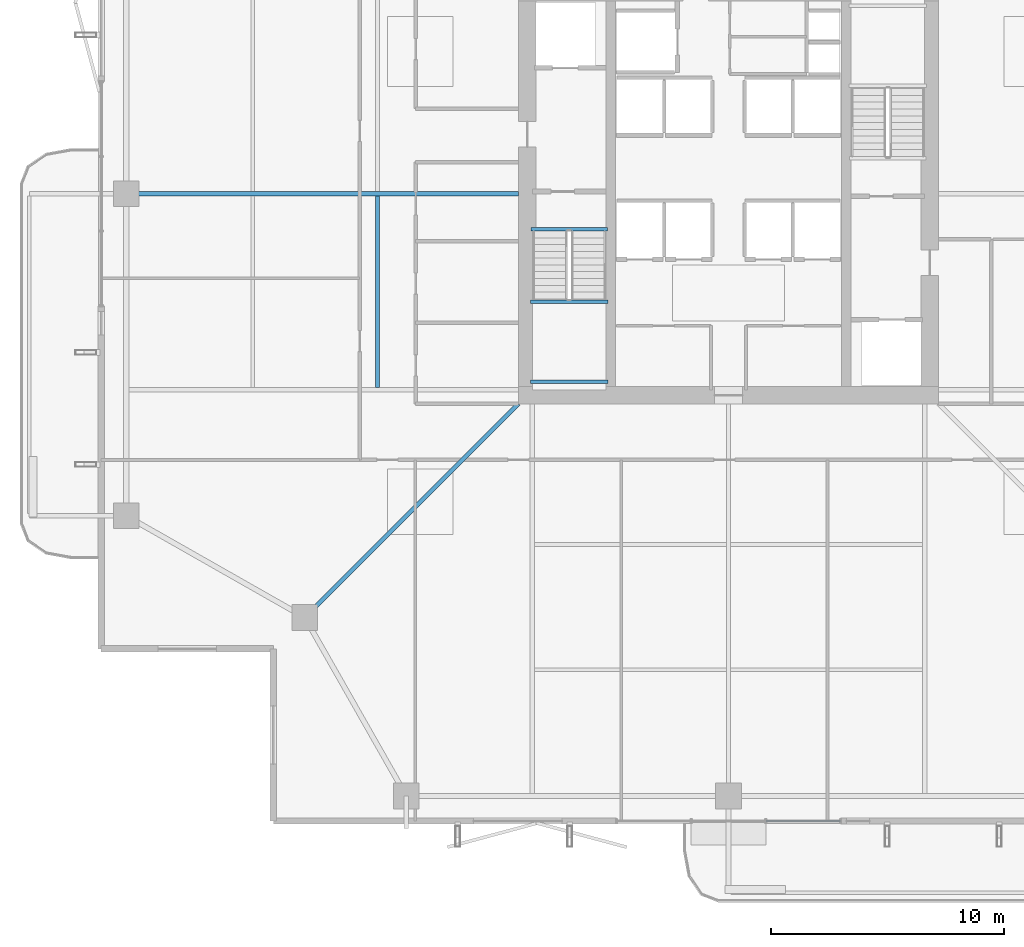
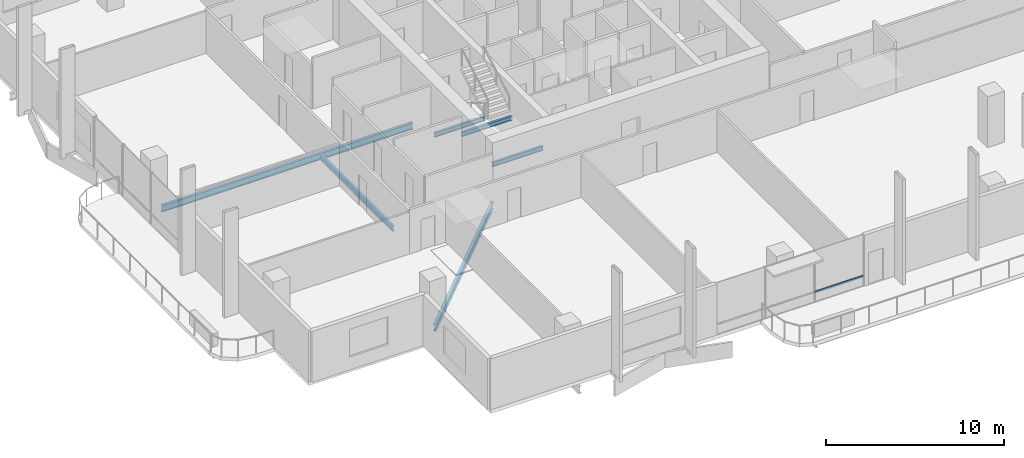
# One storey, part 5 of 24: 6 beams, 1 member, 1 element without a shape of its own.
"""IFC4 building model written with IfcOpenShell, lengths in metres."""

import ifcopenshell
import ifcopenshell.guid

model = None  # the IFC model being written
_history = None  # IfcOwnerHistory: only IFC2X3 demands one
_inside = {}  # id of a spatial element -> (the spatial element, [elements in it])
_under = {}  # id of a project, library or spatial element -> (it, [spatial elements below it])
_declared = {}  # id of a project -> (the project, [libraries it declares])
_typed = {}  # id of a type object -> (the type object, [elements of that type])
_made_of = {}  # id of a material, layer set ... -> (it, [elements and type objects made of it])


def new_model(schema):
    """Start an empty IFC model of exactly this schema.

    Asked for "IFC4X3", IfcOpenShell would pick the latest addendum, in which some entities
    have other attributes; the version numbers below select the first issue.
    IFC2X3 requires an IfcOwnerHistory on every rooted entity: one is made here for all.
    """
    global model, _history
    if schema == "IFC4X3":
        model = ifcopenshell.file(schema_version=(4, 3, 0, 0))
    else:
        model = ifcopenshell.file(schema=schema)
    _inside.clear()
    _under.clear()
    _declared.clear()
    _typed.clear()
    _made_of.clear()
    _history = None
    if model.schema == "IFC2X3":
        org = make("IfcOrganization", Name="unknown")
        user = make(
            "IfcPersonAndOrganization",
            ThePerson=make("IfcPerson", FamilyName="unknown"),
            TheOrganization=org,
        )
        app = make(
            "IfcApplication",
            ApplicationDeveloper=org,
            Version="unknown",
            ApplicationFullName="unknown",
            ApplicationIdentifier="unknown",
        )
        _history = make(
            "IfcOwnerHistory",
            OwningUser=user,
            OwningApplication=app,
            ChangeAction="ADDED",
            CreationDate=0,
        )
    return model


def make(cls, **values):
    """One entity of the class cls with the attributes given. An attribute that is None is left unset."""
    return model.create_entity(
        cls, **{name: value for name, value in values.items() if value is not None}
    )


def rooted(cls, **values):
    """An entity with a GlobalId (a new one), such as an element, a storey or a relation."""
    return make(cls, GlobalId=ifcopenshell.guid.new(), OwnerHistory=_history, **values)


def si_unit(unit_type, name, prefix=None):
    """IfcSIUnit, for example si_unit("LENGTHUNIT", "METRE", prefix="MILLI")."""
    return make("IfcSIUnit", UnitType=unit_type, Prefix=prefix, Name=name)


def assignment(units):
    """IfcUnitAssignment: the units of a project."""
    return None if units is None else make("IfcUnitAssignment", Units=units)


def point(xyz):
    """IfcCartesianPoint."""
    return None if xyz is None else make("IfcCartesianPoint", Coordinates=xyz)


def direction(xyz):
    """IfcDirection."""
    return None if xyz is None else make("IfcDirection", DirectionRatios=xyz)


def frame(location, z_axis=None, x_axis=None):
    """IfcAxis2Placement3D, a coordinate frame: its origin and axes. An axis left out is left unset."""
    return make(
        "IfcAxis2Placement3D",
        Location=point(location),
        Axis=direction(z_axis),
        RefDirection=direction(x_axis),
    )


def frame_2d(location, x_axis=None):
    """IfcAxis2Placement2D, a coordinate frame in the plane: its origin and x axis."""
    return make(
        "IfcAxis2Placement2D", Location=point(location), RefDirection=direction(x_axis)
    )


def origin():
    """The frame at (0, 0, 0) with its axes left unset."""
    return frame((0.0, 0.0, 0.0))


def origin_2d():
    """The frame at (0, 0) in the plane with its x axis left unset."""
    return frame_2d((0.0, 0.0))


def place(relative_to, where):
    """IfcLocalPlacement: puts the frame where relative to a parent placement (None: the world)."""
    return make(
        "IfcLocalPlacement", PlacementRelTo=relative_to, RelativePlacement=where
    )


def context(
    kind, dimensions, precision=None, world=None, true_north=None, identifier=None
):
    """IfcGeometricRepresentationContext, for example the 3D "Model" context."""
    return make(
        "IfcGeometricRepresentationContext",
        ContextIdentifier=identifier,
        ContextType=kind,
        CoordinateSpaceDimension=dimensions,
        Precision=precision,
        WorldCoordinateSystem=world,
        TrueNorth=true_north,
    )


def subcontext(parent, identifier, kind, view, scale=None):
    """IfcGeometricRepresentationSubContext, for example "Body" below "Model"."""
    return make(
        "IfcGeometricRepresentationSubContext",
        ContextIdentifier=identifier,
        ContextType=kind,
        ParentContext=parent,
        TargetScale=scale,
        TargetView=view,
    )


def project(units=None, contexts=None):
    """IfcProject with its units and contexts."""
    return rooted(
        "IfcProject",
        Name="project",
        RepresentationContexts=contexts,
        UnitsInContext=assignment(units),
    )


def spatial(cls, under=None, at=None, **own):
    """A site, building, storey or space (cls), placed at a placement, below another one or the project."""
    s = rooted(cls, ObjectPlacement=at, **own)
    if under is not None:
        _under.setdefault(under.id(), (under, []))[1].append(s)
    return s


def profile(cls, at=None, kind="AREA", **sizes):
    """A parametric profile (cls). Its sizes go by their IFC names, for example OverallWidth=200.0."""
    return make(cls, ProfileType=kind, Position=at, **sizes)


def hollow_rectangle(**sizes):
    """IfcRectangleHollowProfileDef."""
    return profile("IfcRectangleHollowProfileDef", **sizes)


def i_section(**sizes):
    """IfcIShapeProfileDef."""
    return profile("IfcIShapeProfileDef", **sizes)


def extrude(swept, where, along, depth):
    """IfcExtrudedAreaSolid: the profile swept, set in the frame where, extruded along a direction by depth."""
    return make(
        "IfcExtrudedAreaSolid",
        SweptArea=swept,
        Position=where,
        ExtrudedDirection=direction(along),
        Depth=depth,
    )


def shape(context_of_items, identifier, shape_type, items):
    """IfcShapeRepresentation: the items that make up one representation, for example the "Body"."""
    return make(
        "IfcShapeRepresentation",
        ContextOfItems=context_of_items,
        RepresentationIdentifier=identifier,
        RepresentationType=shape_type,
        Items=items,
    )


def material(Name=None, Category=None):
    """IfcMaterial."""
    return make("IfcMaterial", Name=Name, Category=Category)


def layer(
    of_material, thickness, ventilated=None, Name=None, Category=None, Priority=None
):
    """IfcMaterialLayer: one layer of a wall or slab, of a material (None: an air gap)."""
    return make(
        "IfcMaterialLayer",
        Material=of_material,
        LayerThickness=thickness,
        IsVentilated=ventilated,
        Name=Name,
        Category=Category,
        Priority=Priority,
    )


def layer_set(layers, Name=None):
    """IfcMaterialLayerSet."""
    return make("IfcMaterialLayerSet", MaterialLayers=layers, LayerSetName=Name)


def material_profile(
    of_material, cross_section, Name=None, Category=None, Priority=None
):
    """IfcMaterialProfile: a cross section and its material."""
    return make(
        "IfcMaterialProfile",
        Name=Name,
        Material=of_material,
        Profile=cross_section,
        Priority=Priority,
        Category=Category,
    )


def profile_set(profiles, Name=None, composite=None):
    """IfcMaterialProfileSet."""
    return make(
        "IfcMaterialProfileSet",
        Name=Name,
        MaterialProfiles=profiles,
        CompositeProfile=composite,
    )


def made_of(thing, what):
    """Note that an element or type object is made of a material, layer set ...; save() writes the relation."""
    if what is not None:
        _made_of.setdefault(what.id(), (what, []))[1].append(thing)
    return thing


def type_object(cls, material=None, **own):
    """A type object (cls), such as IfcWallType, which elements share."""
    return made_of(rooted(cls, **own), material)


def element(
    cls,
    number,
    at=None,
    inside=None,
    cuts=None,
    type_object=None,
    material=None,
    context=None,
    identifier="Body",
    shape_type=None,
    held_by="IfcProductDefinitionShape",
    body=None,
    shapes=None,
    **own,
):
    """One element of the class cls, such as IfcWall. Its Tag is "e" and its number.

    at: its placement. inside: the storey or other place that contains it. cuts: it is an
    opening in that element (IfcRelVoidsElement). A single representation is given by context,
    identifier, shape_type and body (its items); several are given by shapes. held_by: the class
    of the entity that holds the representations. save() writes the other relations.
    """
    e = rooted(cls, Tag="e%d" % number, ObjectPlacement=at, **own)
    if body is not None:
        shapes = [shape(context, identifier, shape_type, body)]
    if shapes is not None:
        e.Representation = make(held_by, Representations=shapes)
    if inside is not None:
        _inside.setdefault(inside.id(), (inside, []))[1].append(e)
    if cuts is not None:
        rooted(
            "IfcRelVoidsElement", RelatingBuildingElement=cuts, RelatedOpeningElement=e
        )
    if type_object is not None:
        _typed.setdefault(type_object.id(), (type_object, []))[1].append(e)
    return made_of(e, material)


def aggregate(whole, parts):
    """IfcRelAggregates: a whole, such as a stair, and the parts it consists of."""
    return rooted("IfcRelAggregates", RelatingObject=whole, RelatedObjects=parts)


def save(model, path):
    """Write the relations noted so far, then the file.

    IfcRelAggregates (storeys below a building ...), IfcRelContainedInSpatialStructure (elements
    in a storey), IfcRelDefinesByType, IfcRelAssociatesMaterial and IfcRelDeclares: one each for
    every whole, place, type object, material and project.
    """
    for whole, parts in _under.values():
        aggregate(whole, parts)
    for where, things in _inside.values():
        rooted(
            "IfcRelContainedInSpatialStructure",
            RelatedElements=things,
            RelatingStructure=where,
        )
    for kind, things in _typed.values():
        rooted("IfcRelDefinesByType", RelatedObjects=things, RelatingType=kind)
    for what, things in _made_of.values():
        rooted("IfcRelAssociatesMaterial", RelatedObjects=things, RelatingMaterial=what)
    for by, libraries in _declared.values():
        rooted("IfcRelDeclares", RelatingContext=by, RelatedDefinitions=libraries)
    model.write(path)


model = new_model("IFC4")

# Units and contexts
model_context = context("Model", 3, precision=1e-05, world=origin(), true_north=direction((0.0, 1.0)))
body_context = subcontext(model_context, "Body", "Model", "MODEL_VIEW")
ifc_project = project(units=[si_unit("LENGTHUNIT", "METRE"), si_unit("AREAUNIT", "SQUARE_METRE"), si_unit("VOLUMEUNIT", "CUBIC_METRE"), si_unit("PLANEANGLEUNIT", "RADIAN"), si_unit("MASSUNIT", "GRAM", prefix="KILO")], contexts=[model_context])

# Site, building, storey
site_placement = place(None, origin())
site = spatial("IfcSite", under=ifc_project, at=site_placement, CompositionType="ELEMENT")
building_placement = place(site_placement, origin())
building = spatial("IfcBuilding", under=site, at=building_placement, Name="Belovzor Exchange Tower", CompositionType="ELEMENT")
storey_placement = place(building_placement, frame((0.0, 0.0, 233.699951171875)))
storey = spatial("IfcBuildingStorey", under=building, at=storey_placement, Name="L58", CompositionType="ELEMENT", Elevation=233.699951171875)

# Beams
ifc_material_1 = material(Name="Steel S355", Category="steel")
ifc_material_profile_1 = material_profile(ifc_material_1, i_section(OverallWidth=0.169921875, OverallDepth=0.360107421875, WebThickness=0.008056640625, FlangeThickness=0.0126953125, at=origin_2d()))
ifc_profile_set_1 = profile_set([ifc_material_profile_1], Name="Steel S355")
beam_type_1 = type_object("IfcBeamType", Name="Secondary Infill Floor Joist IPE 360", PredefinedType="BEAM", material=ifc_profile_set_1)
beam_1_placement = place(storey_placement, frame((13.77197265625, 20.4951171875, -0.429931640625), z_axis=(0.0, 1.0, 0.0), x_axis=(-1.0, 0.0, 0.0)))
element("IfcBeam", 1, at=beam_1_placement, inside=storey, type_object=beam_type_1, Name="FJ-360 Secondary Infill Floor Joist IPE 360", PredefinedType="BEAM", context=body_context, shape_type="SweptSolid", body=[
    extrude(i_section(OverallWidth=0.169921875, OverallDepth=0.360107421875, WebThickness=0.008056640625, FlangeThickness=0.0126953125, at=origin_2d()), origin(), (0.0, 0.0, 1.0), 8.2099609375),
])
ifc_material_2 = material(Name="Steel S355", Category="steel")
ifc_material_profile_2 = material_profile(ifc_material_2, i_section(OverallWidth=0.14990234375, OverallDepth=0.300048828125, WebThickness=0.007080078125, FlangeThickness=0.0107421875, at=origin_2d()))
ifc_profile_set_2 = profile_set([ifc_material_profile_2], Name="Steel S355")
beam_type_2 = type_object("IfcBeamType", Name="Secondary Trim Floor Joist IPE 300", PredefinedType="BEAM", material=ifc_profile_set_2)
for number, where, z_axis, x_axis, name in (
    (2, (20.320068359375, 24.179931640625, 1.525146484375), (1.0, 0.0, 0.0), (0.0, 1.0, 0.0), "FJ-300 Secondary Trim Floor Joist IPE 300"),
    (3, (20.320068359375, 20.75, 1.525146484375), (1.0, 0.0, 0.0), (0.0, 1.0, 0.0), "FJ-300 Secondary Trim Floor Joist IPE 300"),
):
    element("IfcBeam", number, at=place(storey_placement, frame(where, z_axis=z_axis, x_axis=x_axis)), inside=storey, type_object=beam_type_2, Name=name, PredefinedType="BEAM", context=body_context, shape_type="SweptSolid", body=[
        extrude(i_section(OverallWidth=0.14990234375, OverallDepth=0.300048828125, WebThickness=0.007080078125, FlangeThickness=0.0107421875, at=origin_2d()), origin(), (0.0, 0.0, 1.0), 3.309814453125),
    ])
beam_2_placement = place(storey_placement, frame((20.340087890625, 27.280029296875, -0.39990234375), z_axis=(1.0, 0.0, 0.0), x_axis=(0.0, 1.0, 0.0)))
element("IfcBeam", 4, at=beam_2_placement, inside=storey, type_object=beam_type_2, Name="FJ-300 Secondary Trim Floor Joist IPE 300", PredefinedType="BEAM", context=body_context, shape_type="SweptSolid", body=[
    extrude(i_section(OverallWidth=0.14990234375, OverallDepth=0.300048828125, WebThickness=0.007080078125, FlangeThickness=0.0107421875, at=origin_2d()), origin(), (0.0, 0.0, 1.0), 3.27001953125),
])

# Curtain wall, member
ifc_material_3 = material(Name="Anodised Aluminium Framing", Category="aluminium")
ifc_layer = layer(ifc_material_3, 0.179931640625)
ifc_layer_set = layer_set([ifc_layer], Name="Anodised Aluminium Framing")
curtain_wall_type = type_object("IfcCurtainWallType", Name="Recessed Loggia Low-Iron Triple-Glazed Curtain Wall", PredefinedType="NOTDEFINED", material=ifc_layer_set)
curtain_wall_placement = place(storey_placement, origin())
curtain_wall = element("IfcCurtainWall", 5, at=curtain_wall_placement, inside=storey, type_object=curtain_wall_type, Name="CW3 Recessed Loggia Low-Iron Triple-Glazed Curtain Wall L58", PredefinedType="NOTDEFINED")
ifc_material_4 = material(Name="Steel S355", Category="steel")
ifc_material_profile_3 = material_profile(ifc_material_4, hollow_rectangle(XDim=0.06005859375, YDim=0.14990234375, WallThickness=0.00390625, at=origin_2d()))
ifc_profile_set_3 = profile_set([ifc_material_profile_3], Name="Steel S355")
member_type = type_object("IfcMemberType", Name="Thermally Broken Curtain Wall Transom 150x60", PredefinedType="USERDEFINED", material=ifc_profile_set_3)
member_placement = place(storey_placement, frame((33.592041015625, 1.929931640625, 0.630126953125), z_axis=(-1.0, 0.0, 0.0), x_axis=(0.0, -1.0, 0.0)))
member = element("IfcMember", 6, at=member_placement, type_object=member_type, Name="CW-T150 Curtain Wall Transom 1", ObjectType="TRANSOM", PredefinedType="USERDEFINED", context=body_context, shape_type="SweptSolid", body=[
    extrude(hollow_rectangle(XDim=0.06005859375, YDim=0.14990234375, WallThickness=0.00390625, at=origin_2d()), origin(), (0.0, 0.0, 1.0), 3.18408203125),
])
aggregate(curtain_wall, [member])

# Beams
ifc_material_5 = material(Name="Steel S355", Category="steel")
ifc_material_profile_4 = material_profile(ifc_material_5, i_section(OverallWidth=0.18994140625, OverallDepth=0.449951171875, WebThickness=0.009521484375, FlangeThickness=0.0146484375, at=origin_2d()))
ifc_profile_set_4 = profile_set([ifc_material_profile_4], Name="Steel S355")
beam_type_3 = type_object("IfcBeamType", Name="Zone 2-4 Radial Composite Floor Beam IPE 450", PredefinedType="BEAM", material=ifc_profile_set_4)
beam_3_placement = place(storey_placement, frame((19.800048828125, 28.800048828125, -0.474853515625), z_axis=(-1.0, 0.0, 0.0), x_axis=(0.0, -1.0, 0.0)))
element("IfcBeam", 7, at=beam_3_placement, inside=storey, type_object=beam_type_3, Name="FB-450 Zone 2-4 Radial Composite Floor Beam IPE 450", PredefinedType="BEAM", context=body_context, shape_type="SweptSolid", body=[
    extrude(i_section(OverallWidth=0.18994140625, OverallDepth=0.449951171875, WebThickness=0.009521484375, FlangeThickness=0.0146484375, at=origin_2d()), origin(), (0.0, 0.0, 1.0), 16.316162109375),
])
beam_4_placement = place(storey_placement, frame((19.800048828125, 19.800048828125, -0.474853515625), z_axis=(-0.707106781187, -0.707106781187, 0.0), x_axis=(0.707106781187, -0.707106781187, 0.0)))
element("IfcBeam", 8, at=beam_4_placement, inside=storey, type_object=beam_type_3, Name="FB-450 Zone 2-4 Radial Composite Floor Beam IPE 450", PredefinedType="BEAM", context=body_context, shape_type="SweptSolid", body=[
    extrude(i_section(OverallWidth=0.18994140625, OverallDepth=0.449951171875, WebThickness=0.009521484375, FlangeThickness=0.0146484375, at=origin_2d()), origin(), (0.0, 0.0, 1.0), 12.551025390625),
])

save(model, "model.ifc")
